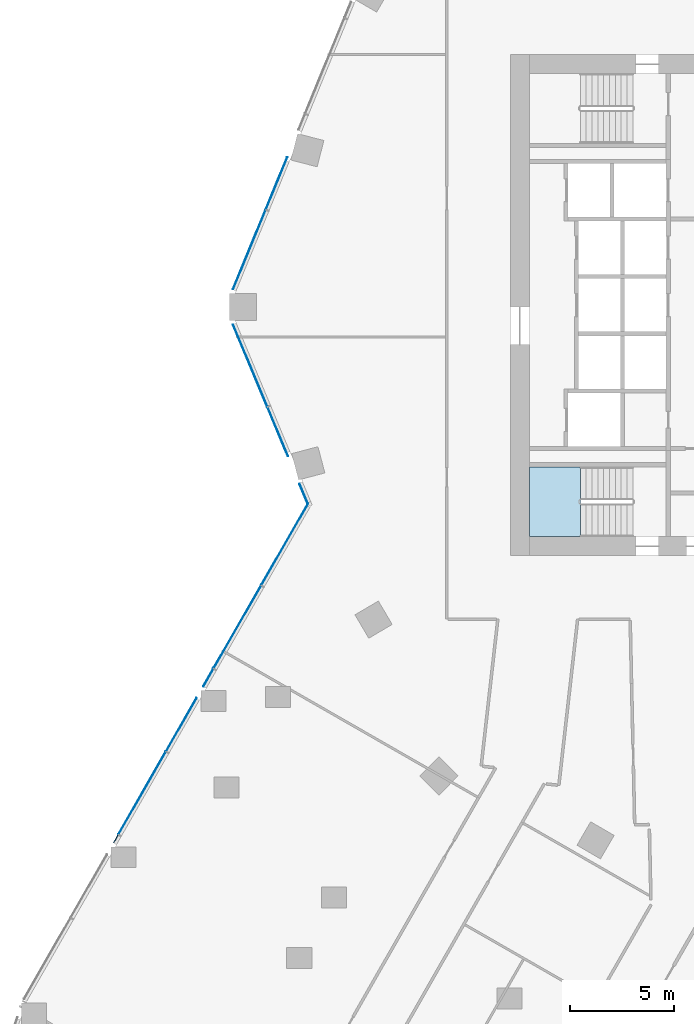
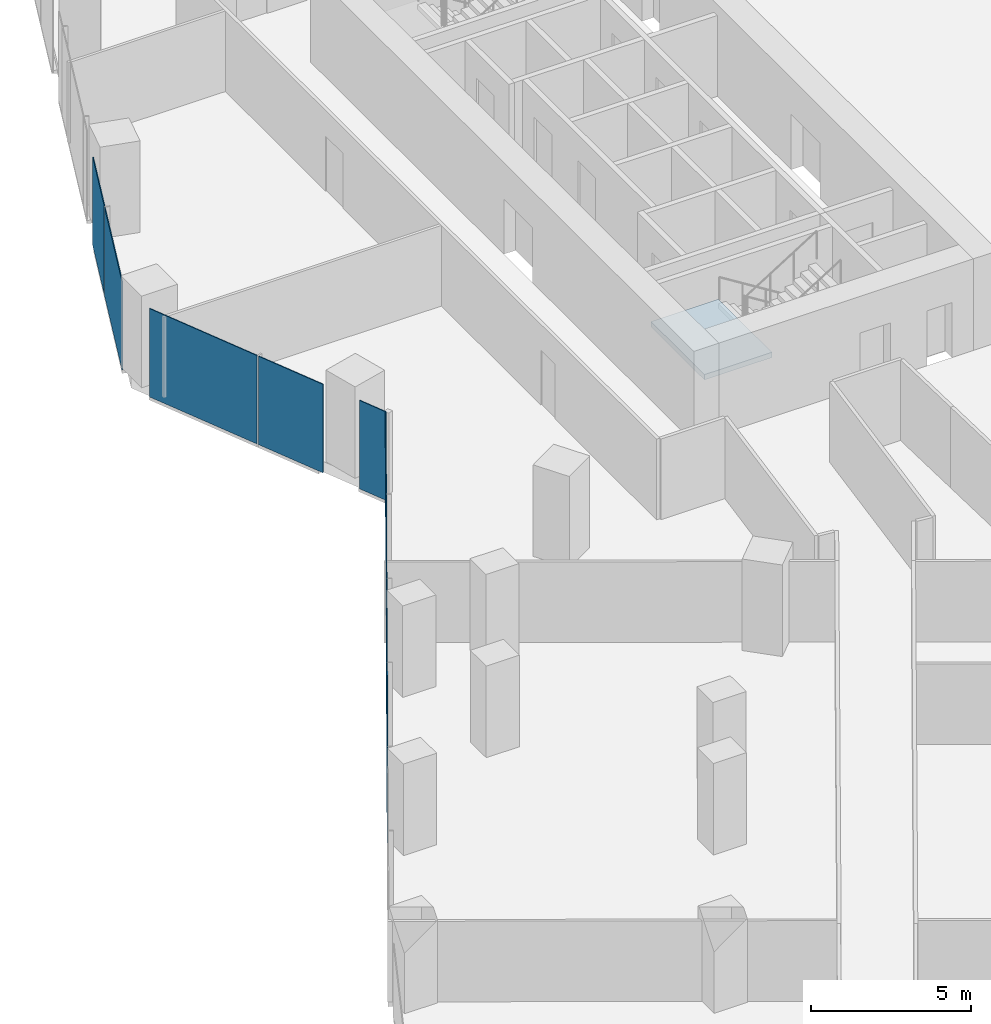
# One storey, part 20 of 34: 11 plates, 1 slab, 4 elements without a shape of their own.
"""IFC4 building model written with IfcOpenShell, lengths in metres."""

from ifc_helpers import new_model, si_unit, direction, frame, origin, origin_2d, place, context, subcontext, project, spatial, polyline, rectangle, outline, extrude, material, layer, layer_set, type_object, element, aggregate, save


model = new_model("IFC4")

# Units and contexts
model_context = context("Model", 3, precision=1e-05, world=origin(), true_north=direction((0.0, 1.0)))
body_context = subcontext(model_context, "Body", "Model", "MODEL_VIEW")
ifc_project = project(units=[si_unit("LENGTHUNIT", "METRE"), si_unit("AREAUNIT", "SQUARE_METRE"), si_unit("VOLUMEUNIT", "CUBIC_METRE"), si_unit("PLANEANGLEUNIT", "RADIAN"), si_unit("MASSUNIT", "GRAM", prefix="KILO")], contexts=[model_context])

# Site, building, storey
site_placement = place(None, origin())
site = spatial("IfcSite", under=ifc_project, at=site_placement, CompositionType="ELEMENT")
building_placement = place(site_placement, origin())
building = spatial("IfcBuilding", under=site, at=building_placement, Name="Orlundy Tower", CompositionType="ELEMENT")
storey_placement = place(building_placement, frame((0.0, 0.0, 105.699951171875)))
storey = spatial("IfcBuildingStorey", under=building, at=storey_placement, Name="L26", CompositionType="ELEMENT", Elevation=105.699951171875)

# Curtain wall, plates
ifc_material_1 = material(Name="Aluminium bronze anodised", Category="aluminium")
curtain_wall_type = type_object("IfcCurtainWallType", Name="CW1 wall", PredefinedType="NOTDEFINED", material=ifc_material_1)
curtain_wall_1_placement = place(storey_placement, origin())
curtain_wall_1 = element("IfcCurtainWall", 1, at=curtain_wall_1_placement, inside=storey, type_object=curtain_wall_type, Name="CW1 run 012", PredefinedType="NOTDEFINED")
ifc_material_2 = material(Name="Tinted glass", Category="glass")
ifc_layer_1 = layer(ifc_material_2, 0.031982421875)
ifc_layer_set_1 = layer_set([ifc_layer_1], Name="CW1 glass panel 32")
plate_type = type_object("IfcPlateType", Name="CW1 glass panel 32", PredefinedType="CURTAIN_PANEL", material=ifc_layer_set_1)
plate_1_placement = place(storey_placement, frame((-37.916259765625, -25.583984375, -0.27978515625), z_axis=(0.0, 0.0, 1.0), x_axis=(0.497468306172, 0.867482152182, 0.0)))
plate_1 = element("IfcPlate", 2, at=plate_1_placement, type_object=plate_type, Name="CW1 panel", PredefinedType="CURTAIN_PANEL", context=body_context, shape_type="SweptSolid", body=[
    extrude(rectangle(XDim=0.417236328125, YDim=0.031982421875, at=origin_2d()), origin(), (0.0, 0.0, 1.0), 3.3798828125),
])
plate_2_placement = place(storey_placement, frame((-36.65869140625, -23.39111328125, -0.27978515625), z_axis=(0.0, 0.0, 1.0), x_axis=(0.497468306172, 0.867482152182, 0.0)))
plate_2 = element("IfcPlate", 3, at=plate_2_placement, type_object=plate_type, Name="CW1 panel", PredefinedType="CURTAIN_PANEL", context=body_context, shape_type="SweptSolid", body=[
    extrude(rectangle(XDim=4.53857421875, YDim=0.031982421875, at=origin_2d()), origin(), (0.0, 0.0, 1.0), 3.3798828125),
])
plate_3_placement = place(storey_placement, frame((-34.775390625, -20.107177734375, -0.27978515625), z_axis=(0.0, 0.0, 1.0), x_axis=(0.497468306172, 0.867482152182, 0.0)))
plate_3 = element("IfcPlate", 4, at=plate_3_placement, type_object=plate_type, Name="CW1 panel", PredefinedType="CURTAIN_PANEL", context=body_context, shape_type="SweptSolid", body=[
    extrude(rectangle(XDim=2.9326171875, YDim=0.031982421875, at=origin_2d()), origin(), (0.0, 0.0, 1.0), 3.3798828125),
])
plate_4_placement = place(storey_placement, frame((-33.486083984375, -17.859130859375, -0.27978515625), z_axis=(0.0, 0.0, 1.0), x_axis=(0.497468306172, 0.867482152182, 0.0)))
plate_4 = element("IfcPlate", 5, at=plate_4_placement, type_object=plate_type, Name="CW1 panel", PredefinedType="CURTAIN_PANEL", context=body_context, shape_type="SweptSolid", body=[
    extrude(rectangle(XDim=0.961181640625, YDim=0.031982421875, at=origin_2d()), origin(), (0.0, 0.0, 1.0), 3.3798828125),
])
plate_5_placement = place(storey_placement, frame((-32.09326171875, -15.43017578125, -0.27978515625), z_axis=(0.0, 0.0, 1.0), x_axis=(0.497468306172, 0.867482152182, 0.0)))
plate_5 = element("IfcPlate", 6, at=plate_5_placement, type_object=plate_type, Name="CW1 panel", PredefinedType="CURTAIN_PANEL", context=body_context, shape_type="SweptSolid", body=[
    extrude(rectangle(XDim=4.53857421875, YDim=0.031982421875, at=origin_2d()), origin(), (0.0, 0.0, 1.0), 3.3798828125),
])
plate_6_placement = place(storey_placement, frame((-29.824462890625, -11.473876953125, -0.27978515625), z_axis=(0.0, 0.0, 1.0), x_axis=(0.497468306172, 0.867482152182, 0.0)))
plate_6 = element("IfcPlate", 7, at=plate_6_placement, type_object=plate_type, Name="CW1 panel", PredefinedType="CURTAIN_PANEL", context=body_context, shape_type="SweptSolid", body=[
    extrude(rectangle(XDim=4.482666015625, YDim=0.031982421875, at=origin_2d()), origin(), (0.0, 0.0, 1.0), 3.3798828125),
])
aggregate(curtain_wall_1, [plate_1, plate_2, plate_3, plate_4, plate_5, plate_6])

curtain_wall_2_placement = place(storey_placement, origin())
curtain_wall_2 = element("IfcCurtainWall", 8, at=curtain_wall_2_placement, inside=storey, type_object=curtain_wall_type, Name="CW1 run 013", PredefinedType="NOTDEFINED")
plate_7_placement = place(storey_placement, frame((-28.9091796875, -9.05126953125, -0.27978515625), z_axis=(0.0, 0.0, 1.0), x_axis=(-0.385343522299, 0.922773195223, 0.0)))
plate_7 = element("IfcPlate", 9, at=plate_7_placement, type_object=plate_type, Name="CW1 panel", PredefinedType="CURTAIN_PANEL", context=body_context, shape_type="SweptSolid", body=[
    extrude(rectangle(XDim=1.036865234375, YDim=0.031982421875, at=origin_2d()), origin(), (0.0, 0.0, 1.0), 3.3798828125),
])
plate_8_placement = place(storey_placement, frame((-30.1513671875, -6.07666015625, -0.27978515625), z_axis=(0.0, 0.0, 1.0), x_axis=(-0.385343522299, 0.922773195223, 0.0)))
plate_8 = element("IfcPlate", 10, at=plate_8_placement, type_object=plate_type, Name="CW1 panel", PredefinedType="CURTAIN_PANEL", context=body_context, shape_type="SweptSolid", body=[
    extrude(rectangle(XDim=2.542236328125, YDim=0.031982421875, at=origin_2d()), origin(), (0.0, 0.0, 1.0), 3.3798828125),
])
plate_9_placement = place(storey_placement, frame((-31.4775390625, -2.901123046875, -0.27978515625), z_axis=(0.0, 0.0, 1.0), x_axis=(-0.385343522299, 0.922773195223, 0.0)))
plate_9 = element("IfcPlate", 11, at=plate_9_placement, type_object=plate_type, Name="CW1 panel", PredefinedType="CURTAIN_PANEL", context=body_context, shape_type="SweptSolid", body=[
    extrude(rectangle(XDim=4.24072265625, YDim=0.031982421875, at=origin_2d()), origin(), (0.0, 0.0, 1.0), 3.3798828125),
])
aggregate(curtain_wall_2, [plate_7, plate_8, plate_9])

curtain_wall_3_placement = place(storey_placement, origin())
curtain_wall_3 = element("IfcCurtainWall", 12, at=curtain_wall_3_placement, inside=storey, type_object=curtain_wall_type, Name="CW1 run 014", PredefinedType="NOTDEFINED")
plate_10_placement = place(storey_placement, frame((-31.522216796875, 2.649169921875, -0.27978515625), z_axis=(0.0, 0.0, 1.0), x_axis=(0.380004927003, 0.924984462277, 0.0)))
plate_10 = element("IfcPlate", 13, at=plate_10_placement, type_object=plate_type, Name="CW1 panel", PredefinedType="CURTAIN_PANEL", context=body_context, shape_type="SweptSolid", body=[
    extrude(rectangle(XDim=4.09423828125, YDim=0.031982421875, at=origin_2d()), origin(), (0.0, 0.0, 1.0), 3.3798828125),
])
plate_11_placement = place(storey_placement, frame((-30.21337890625, 5.835205078125, -0.27978515625), z_axis=(0.0, 0.0, 1.0), x_axis=(0.380004927003, 0.924984462277, 0.0)))
plate_11 = element("IfcPlate", 14, at=plate_11_placement, type_object=plate_type, Name="CW1 panel", PredefinedType="CURTAIN_PANEL", context=body_context, shape_type="SweptSolid", body=[
    extrude(rectangle(XDim=2.694580078125, YDim=0.031982421875, at=origin_2d()), origin(), (0.0, 0.0, 1.0), 3.3798828125),
])
aggregate(curtain_wall_3, [plate_10, plate_11])

# Stair, slab
ifc_material_3 = material(Name="Concrete C50/60", Category="concrete")
stair_type = type_object("IfcStairType", Name="Exit Stair 20 risers", PredefinedType="HALF_TURN_STAIR", material=ifc_material_3)
stair_placement = place(storey_placement, origin())
stair = element("IfcStair", 15, at=stair_placement, inside=storey, type_object=stair_type, Name="L26 Exit Stair ST-W2", PredefinedType="HALF_TURN_STAIR")
ifc_material_4 = material(Name="Concrete C50/60", Category="concrete")
ifc_layer_2 = layer(ifc_material_4, 0.199951171875)
ifc_layer_set_2 = layer_set([ifc_layer_2], Name="Exit Stair Landing")
slab_type = type_object("IfcSlabType", Name="Exit Stair Landing", PredefinedType="LANDING", material=ifc_layer_set_2)
slab_placement = place(storey_placement, frame((0.0, 0.0, 1.550048828125)))
slab = element("IfcSlab", 16, at=slab_placement, type_object=slab_type, Name="ST-W2 landing 1", PredefinedType="LANDING", context=body_context, shape_type="SweptSolid", body=[
    extrude(outline(polyline([(-15.659912109375, -7.75), (-18.10009765625, -7.75), (-18.10009765625, -11.10009765625), (-15.659912109375, -11.10009765625), (-15.659912109375, -7.75)])), origin(), (0.0, 0.0, 1.0), 0.199951171875),
])
aggregate(stair, [slab])

save(model, "model.ifc")
